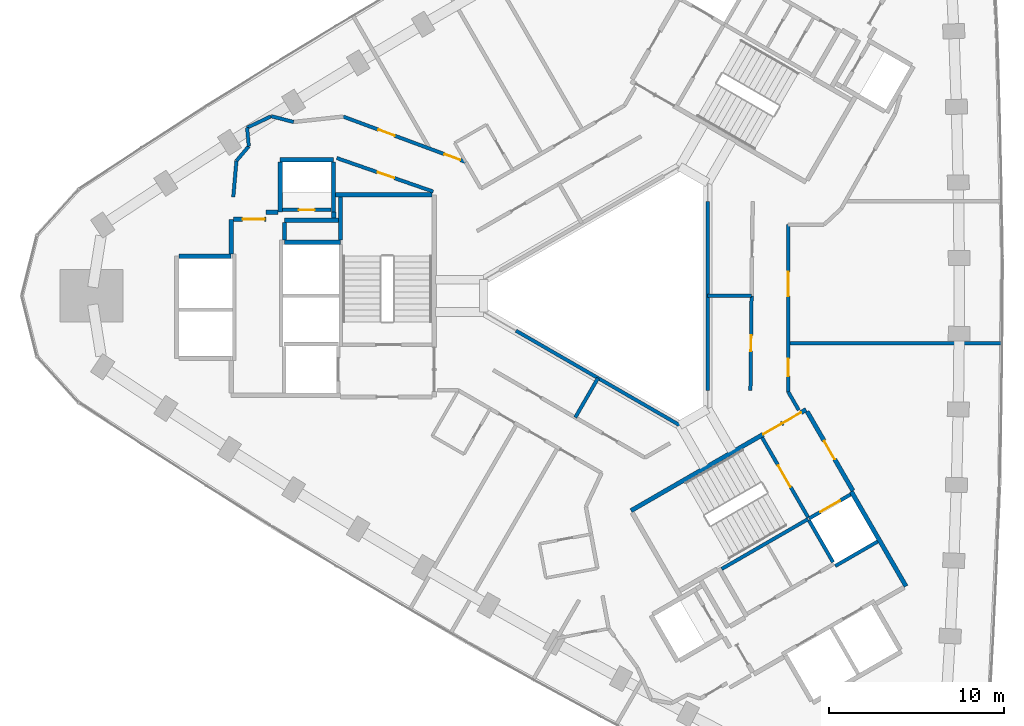
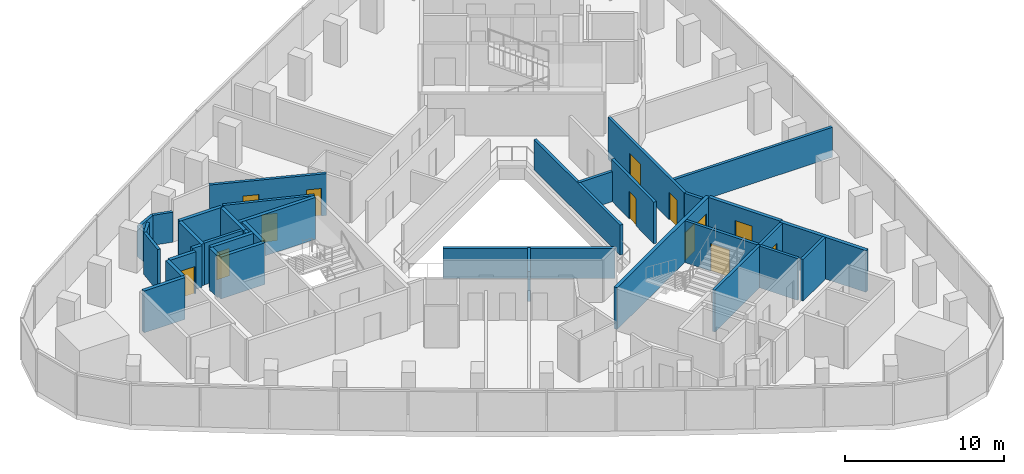
# One storey, part 9 of 12: 37 walls, 13 doors, 13 openings.
"""IFC4 building model written with IfcOpenShell, lengths in metres."""

from ifc_helpers import new_model, si_unit, direction, frame, frame_2d, origin, place, context, subcontext, project, spatial, rectangle, extrude, material, layer, layer_set, type_object, element, fill, save


model = new_model("IFC4")

# Units and contexts
model_context = context("Model", 3, precision=1e-05, world=origin(), true_north=direction((0.0, 1.0)))
body_context = subcontext(model_context, "Body", "Model", "MODEL_VIEW")
ifc_project = project(units=[si_unit("LENGTHUNIT", "METRE"), si_unit("AREAUNIT", "SQUARE_METRE"), si_unit("VOLUMEUNIT", "CUBIC_METRE"), si_unit("PLANEANGLEUNIT", "RADIAN"), si_unit("MASSUNIT", "GRAM", prefix="KILO")], contexts=[model_context])

# Site, building, storey
site_placement = place(None, origin())
site = spatial("IfcSite", under=ifc_project, at=site_placement, CompositionType="ELEMENT")
building_placement = place(site_placement, origin())
building = spatial("IfcBuilding", under=site, at=building_placement, Name="Tamra Quay Hotel Tower", CompositionType="ELEMENT")
storey_placement = place(building_placement, frame((0.0, 0.0, 143.199951171875)))
storey = spatial("IfcBuildingStorey", under=building, at=storey_placement, Name="L35", CompositionType="ELEMENT", Elevation=143.199951171875)

# Wall, opening, door
ifc_material_1 = material(Name="Concrete M70", Category="concrete")
ifc_layer_1 = layer(ifc_material_1, 0.199951171875)
ifc_layer_set_1 = layer_set([ifc_layer_1], Name="Concrete M70 core wall 200")
wall_type_1 = type_object("IfcWallType", Name="Concrete M70 core wall 200", PredefinedType="SHEAR", material=ifc_layer_set_1)
wall_1_placement = place(storey_placement, frame((-19.51123046875, 4.91015625, 0.0), z_axis=(0.0, 0.0, 1.0), x_axis=(1.0, 0.0, 0.0)))
wall_1 = element("IfcWall", 1, at=wall_1_placement, inside=storey, type_object=wall_type_1, Name="CW2", PredefinedType="SHEAR", context=body_context, shape_type="SweptSolid", body=[
    extrude(rectangle(XDim=2.7978515625, YDim=0.199951171875, at=frame_2d((1.39892578125, 0.0))), origin(), (0.0, 0.0, 1.0), 3.199951171875),
])
opening_1_placement = place(wall_1_placement, frame((0.948974609375, 0.0, 0.0)))
opening_1 = element("IfcOpeningElement", 2, at=opening_1_placement, cuts=wall_1, Name="Opening D1", PredefinedType="OPENING", context=body_context, shape_type="SweptSolid", body=[
    extrude(rectangle(XDim=0.89990234375, YDim=2.10009765625, at=frame_2d((0.449951171875, 1.050048828125))), frame((0.0, 0.10986328125, 0.0), z_axis=(0.0, -1.0, 0.0), x_axis=(1.0, 0.0, 0.0)), (0.0, 0.0, 1.0), 0.219970703125),
])
ifc_material_2 = material(Name="Core door D1 900x2100 RH")
door_type_1 = type_object("IfcDoorType", Name="Core door D1 900x2100 RH", OperationType="NOTDEFINED", PredefinedType="DOOR", material=ifc_material_2)
door_1_placement = place(opening_1_placement, origin())
door_1 = element("IfcDoor", 3, at=door_1_placement, inside=storey, type_object=door_type_1, Name="D1", OperationType="SINGLE_SWING_RIGHT", OverallHeight=2.10009765625, OverallWidth=0.89990234375, PredefinedType="DOOR", context=body_context, shape_type="SweptSolid", body=[
    extrude(rectangle(XDim=0.89990234375, YDim=2.10009765625, at=frame_2d((0.449951171875, 1.050048828125))), frame((0.0, 0.02490234375, 0.0), z_axis=(0.0, -1.0, 0.0), x_axis=(1.0, 0.0, 0.0)), (0.0, 0.0, 1.0), 0.050048828125),
])
fill(opening_1, door_1)

# Wall
wall_2_placement = place(storey_placement, frame((10.537841796875, -12.751953125, 0.0), z_axis=(0.0, 0.0, 1.0), x_axis=(-0.866038630372, -0.499977090179, 0.0)))
element("IfcWall", 4, at=wall_2_placement, inside=storey, type_object=wall_type_1, Name="CW2", PredefinedType="SHEAR", context=body_context, shape_type="SweptSolid", body=[
    extrude(rectangle(XDim=5.698974609375, YDim=0.199951171875, at=frame_2d((2.849609375, 0.0))), origin(), (0.0, 0.0, 1.0), 3.199951171875),
])

# Wall, opening, door
wall_3_placement = place(storey_placement, frame((7.906494140625, -8.094482421875, 0.0), z_axis=(0.0, 0.0, 1.0), x_axis=(0.500024287448, -0.866011380966, 0.0)))
wall_3 = element("IfcWall", 5, at=wall_3_placement, inside=storey, type_object=wall_type_1, Name="CW2", PredefinedType="SHEAR", context=body_context, shape_type="SweptSolid", body=[
    extrude(rectangle(XDim=5.251220703125, YDim=0.199951171875, at=frame_2d((2.62548828125, 0.0))), origin(), (0.0, 0.0, 1.0), 3.199951171875),
])
opening_2_placement = place(wall_3_placement, frame((1.84912109375, 0.0, 0.0)))
opening_2 = element("IfcOpeningElement", 6, at=opening_2_placement, cuts=wall_3, Name="Opening FD2", PredefinedType="OPENING", context=body_context, shape_type="SweptSolid", body=[
    extrude(rectangle(XDim=1.39990234375, YDim=2.10009765625, at=frame_2d((0.699951171875, 1.050048828125))), frame((0.0, 0.10986328125, 0.0), z_axis=(0.0, -1.0, 0.0), x_axis=(1.0, 0.0, 0.0)), (0.0, 0.0, 1.0), 0.219970703125),
])
ifc_material_3 = material(Name="Core door FD2 1400x2100 RH")
door_type_2 = type_object("IfcDoorType", Name="Core door FD2 1400x2100 RH", OperationType="NOTDEFINED", PredefinedType="DOOR", material=ifc_material_3)
door_2_placement = place(opening_2_placement, origin())
door_2 = element("IfcDoor", 7, at=door_2_placement, inside=storey, type_object=door_type_2, Name="FD2", OperationType="SINGLE_SWING_RIGHT", OverallHeight=2.10009765625, OverallWidth=1.39990234375, PredefinedType="DOOR", context=body_context, shape_type="SweptSolid", body=[
    extrude(rectangle(XDim=1.39990234375, YDim=2.10009765625, at=frame_2d((0.699951171875, 1.050048828125))), frame((0.0, 0.02490234375, 0.0), z_axis=(0.0, -1.0, 0.0), x_axis=(1.0, 0.0, 0.0)), (0.0, 0.0, 1.0), 0.050048828125),
])
fill(opening_2, door_2)

# Wall
wall_4_placement = place(storey_placement, frame((11.962646484375, -15.219970703125, 0.0), z_axis=(0.0, 0.0, 1.0), x_axis=(-0.500034990121, 0.866005201286, 0.0)))
element("IfcWall", 8, at=wall_4_placement, inside=storey, type_object=wall_type_1, Name="CW2", PredefinedType="SHEAR", context=body_context, shape_type="SweptSolid", body=[
    extrude(rectangle(XDim=2.749755859375, YDim=0.199951171875, at=frame_2d((1.375, 0.0))), origin(), (0.0, 0.0, 1.0), 3.199951171875),
])

# Wall, opening, door
wall_5_placement = place(storey_placement, frame((10.587158203125, -12.72314453125, 0.0), z_axis=(0.0, 0.0, 1.0), x_axis=(0.866037306777, 0.499979382845, 0.0)))
wall_5 = element("IfcWall", 9, at=wall_5_placement, inside=storey, type_object=wall_type_1, Name="CW2", PredefinedType="SHEAR", context=body_context, shape_type="SweptSolid", body=[
    extrude(rectangle(XDim=2.74169921875, YDim=0.199951171875, at=frame_2d((1.370849609375, 0.0))), origin(), (0.0, 0.0, 1.0), 3.199951171875),
])
opening_3_placement = place(wall_5_placement, frame((0.742919921875, 0.0, 0.0)))
opening_3 = element("IfcOpeningElement", 10, at=opening_3_placement, cuts=wall_5, Name="Opening LD", PredefinedType="OPENING", context=body_context, shape_type="SweptSolid", body=[
    extrude(rectangle(XDim=1.300048828125, YDim=2.10009765625, at=frame_2d((0.64990234375, 1.050048828125))), frame((0.0, 0.10986328125, 0.0), z_axis=(0.0, -1.0, 0.0), x_axis=(1.0, 0.0, 0.0)), (0.0, 0.0, 1.0), 0.219970703125),
])
ifc_material_4 = material(Name="Landing door LD 1300 sliding to right")
door_type_3 = type_object("IfcDoorType", Name="Landing door LD 1300 sliding to right", OperationType="NOTDEFINED", PredefinedType="DOOR", material=ifc_material_4)
door_3_placement = place(opening_3_placement, origin())
door_3 = element("IfcDoor", 11, at=door_3_placement, inside=storey, type_object=door_type_3, Name="LD", OperationType="SLIDING_TO_RIGHT", OverallHeight=2.10009765625, OverallWidth=1.300048828125, PredefinedType="DOOR", context=body_context, shape_type="SweptSolid", body=[
    extrude(rectangle(XDim=1.300048828125, YDim=2.10009765625, at=frame_2d((0.64990234375, 1.050048828125))), frame((0.0, 0.02490234375, 0.0), z_axis=(0.0, -1.0, 0.0), x_axis=(1.0, 0.0, 0.0)), (0.0, 0.0, 1.0), 0.050048828125),
])
fill(opening_3, door_3)

# Walls
wall_6_placement = place(storey_placement, frame((14.51171875, -14.037109375, 0.0), z_axis=(0.0, 0.0, 1.0), x_axis=(-0.866044696403, -0.499966582715, 0.0)))
element("IfcWall", 12, at=wall_6_placement, inside=storey, type_object=wall_type_1, Name="CW2", PredefinedType="SHEAR", context=body_context, shape_type="SweptSolid", body=[
    extrude(rectangle(XDim=2.799072265625, YDim=0.199951171875, at=frame_2d((1.3994140625, 0.0))), origin(), (0.0, 0.0, 1.0), 3.199951171875),
])
ifc_layer_2 = layer(ifc_material_1, 0.25)
ifc_layer_set_2 = layer_set([ifc_layer_2], Name="Concrete M70 core wall 250")
wall_type_2 = type_object("IfcWallType", Name="Concrete M70 core wall 250", PredefinedType="SHEAR", material=ifc_layer_set_2)
wall_7_placement = place(storey_placement, frame((-16.47216796875, 5.77490234375, 0.0), z_axis=(0.0, 0.0, 1.0), x_axis=(1.0, 0.0, 0.0)))
element("IfcWall", 13, at=wall_7_placement, inside=storey, type_object=wall_type_2, Name="CW1", PredefinedType="SHEAR", context=body_context, shape_type="SweptSolid", body=[
    extrude(rectangle(XDim=5.509521484375, YDim=0.25, at=frame_2d((2.7548828125, 0.0))), origin(), (0.0, 0.0, 1.0), 3.199951171875),
])
wall_8_placement = place(storey_placement, frame((-19.38720703125, 3.074951171875, 0.0), z_axis=(0.0, 0.0, 1.0), x_axis=(1.0, 0.0, 0.0)))
element("IfcWall", 14, at=wall_8_placement, inside=storey, type_object=wall_type_2, Name="CW1", PredefinedType="SHEAR", context=body_context, shape_type="SweptSolid", body=[
    extrude(rectangle(XDim=3.199951171875, YDim=0.25, at=frame_2d((1.60009765625, 0.0))), origin(), (0.0, 0.0, 1.0), 3.199951171875),
])
wall_9_placement = place(storey_placement, frame((-25.411865234375, 2.27490234375, 0.0), z_axis=(0.0, 0.0, 1.0), x_axis=(1.0, 0.0, 0.0)))
element("IfcWall", 15, at=wall_9_placement, inside=storey, type_object=wall_type_2, Name="CW1", PredefinedType="SHEAR", context=body_context, shape_type="SweptSolid", body=[
    extrude(rectangle(XDim=2.974609375, YDim=0.25, at=frame_2d((1.4873046875, 0.0))), origin(), (0.0, 0.0, 1.0), 3.199951171875),
])
wall_10_placement = place(storey_placement, frame((-19.63720703125, 7.77490234375, 0.0), z_axis=(0.0, 0.0, 1.0), x_axis=(1.0, 0.0, 0.0)))
element("IfcWall", 16, at=wall_10_placement, inside=storey, type_object=wall_type_2, Name="CW1", PredefinedType="SHEAR", context=body_context, shape_type="SweptSolid", body=[
    extrude(rectangle(XDim=3.0498046875, YDim=0.25, at=frame_2d((1.52490234375, 0.0))), origin(), (0.0, 0.0, 1.0), 3.199951171875),
])
for number, where, z_axis, x_axis, name in (
    (17, (-16.58740234375, 7.649658203125, 0.0), (0.0, 0.0, 1.0), (0.0, -1.0, 0.0), "CW1"),
    (18, (-19.63720703125, 4.784912109375, 0.0), (0.0, 0.0, 1.0), (0.0, 1.0, 0.0), "CW1"),
):
    element("IfcWall", number, at=place(storey_placement, frame(where, z_axis=z_axis, x_axis=x_axis)), inside=storey, type_object=wall_type_2, Name=name, PredefinedType="SHEAR", context=body_context, shape_type="SweptSolid", body=[
        extrude(rectangle(XDim=2.86474609375, YDim=0.25, at=frame_2d((1.432373046875, 0.0))), origin(), (0.0, 0.0, 1.0), 3.199951171875),
    ])
wall_11_placement = place(storey_placement, frame((-16.30224609375, 4.31494140625, 0.0), z_axis=(0.0, 0.0, 1.0), x_axis=(-1.0, 0.0, 0.0)))
element("IfcWall", 19, at=wall_11_placement, inside=storey, type_object=wall_type_2, Name="CW1", PredefinedType="SHEAR", context=body_context, shape_type="SweptSolid", body=[
    extrude(rectangle(XDim=3.0849609375, YDim=0.25, at=frame_2d((1.54248046875, 0.0))), origin(), (0.0, 0.0, 1.0), 3.199951171875),
])
wall_12_placement = place(storey_placement, frame((-16.187255859375, 3.200439453125, 0.0), z_axis=(0.0, 0.0, 1.0), x_axis=(0.0, 1.0, 0.0)))
element("IfcWall", 20, at=wall_12_placement, inside=storey, type_object=wall_type_2, Name="CW1", PredefinedType="SHEAR", context=body_context, shape_type="SweptSolid", body=[
    extrude(rectangle(XDim=2.44921875, YDim=0.25, at=frame_2d((1.224609375, 0.0))), origin(), (0.0, 0.0, 1.0), 3.199951171875),
])
wall_13_placement = place(storey_placement, frame((-22.437255859375, 2.400390625, 0.0), z_axis=(0.0, 0.0, 1.0), x_axis=(0.0, 1.0, 0.0)))
element("IfcWall", 21, at=wall_13_placement, inside=storey, type_object=wall_type_2, Name="CW1", PredefinedType="SHEAR", context=body_context, shape_type="SweptSolid", body=[
    extrude(rectangle(XDim=1.974609375, YDim=0.25, at=frame_2d((0.9873046875, 0.0))), origin(), (0.0, 0.0, 1.0), 3.199951171875),
])

# Wall, opening, door
wall_14_placement = place(storey_placement, frame((-22.311767578125, 4.375, 0.0), z_axis=(0.0, 0.0, 1.0), x_axis=(1.0, 0.0, 0.0)))
wall_14 = element("IfcWall", 22, at=wall_14_placement, inside=storey, type_object=wall_type_2, Name="CW1", PredefinedType="SHEAR", context=body_context, shape_type="SweptSolid", body=[
    extrude(rectangle(XDim=1.864501953125, YDim=0.25, at=frame_2d((0.93212890625, 0.0))), origin(), (0.0, 0.0, 1.0), 3.199951171875),
])
opening_4_placement = place(wall_14_placement, frame((0.53466796875, 0.0, 0.0)))
opening_4 = element("IfcOpeningElement", 23, at=opening_4_placement, cuts=wall_14, Name="Opening FD3", PredefinedType="OPENING", context=body_context, shape_type="SweptSolid", body=[
    extrude(rectangle(XDim=1.25, YDim=2.10009765625, at=frame_2d((0.625, 1.050048828125))), frame((0.0, 0.135009765625, 0.0), z_axis=(0.0, -1.0, 0.0), x_axis=(1.0, 0.0, 0.0)), (0.0, 0.0, 1.0), 0.27001953125),
])
ifc_material_5 = material(Name="Core door FD3 1250x2100 LH")
door_type_4 = type_object("IfcDoorType", Name="Core door FD3 1250x2100 LH", OperationType="NOTDEFINED", PredefinedType="DOOR", material=ifc_material_5)
door_4_placement = place(opening_4_placement, origin())
door_4 = element("IfcDoor", 24, at=door_4_placement, inside=storey, type_object=door_type_4, Name="FD3", OperationType="SINGLE_SWING_LEFT", OverallHeight=2.10009765625, OverallWidth=1.25, PredefinedType="DOOR", context=body_context, shape_type="SweptSolid", body=[
    extrude(rectangle(XDim=1.25, YDim=2.10009765625, at=frame_2d((0.625, 1.050048828125))), frame((0.0, 0.02490234375, 0.0), z_axis=(0.0, -1.0, 0.0), x_axis=(1.0, 0.0, 0.0)), (0.0, 0.0, 1.0), 0.050048828125),
])
fill(opening_4, door_4)

# Walls
wall_15_placement = place(storey_placement, frame((-19.38720703125, 4.189697265625, 0.0), z_axis=(0.0, 0.0, 1.0), x_axis=(0.0, -1.0, 0.0)))
element("IfcWall", 25, at=wall_15_placement, inside=storey, type_object=wall_type_2, Name="CW1", PredefinedType="SHEAR", context=body_context, shape_type="SweptSolid", body=[
    extrude(rectangle(XDim=0.9892578125, YDim=0.25, at=frame_2d((0.49462890625, 0.0))), origin(), (0.0, 0.0, 1.0), 3.199951171875),
])
wall_16_placement = place(storey_placement, frame((-20.447265625, 4.784912109375, 0.0), z_axis=(0.0, 0.0, 1.0), x_axis=(1.0, 0.0, 0.0)))
element("IfcWall", 26, at=wall_16_placement, inside=storey, type_object=wall_type_2, Name="CW1", PredefinedType="SHEAR", context=body_context, shape_type="SweptSolid", body=[
    extrude(rectangle(XDim=0.6845703125, YDim=0.25, at=frame_2d((0.34228515625, 0.0))), origin(), (0.0, 0.0, 1.0), 3.199951171875),
])
wall_17_placement = place(storey_placement, frame((-16.577392578125, 4.784912109375, 0.0), z_axis=(0.0, 0.0, 1.0), x_axis=(0.0, -1.0, 0.0)))
element("IfcWall", 27, at=wall_17_placement, inside=storey, type_object=wall_type_2, Name="CW1", PredefinedType="SHEAR", context=body_context, shape_type="SweptSolid", body=[
    extrude(rectangle(XDim=0.344482421875, YDim=0.25, at=frame_2d((0.17236328125, 0.0))), origin(), (0.0, 0.0, 1.0), 3.199951171875),
])

# Wall, openings, doors
wall_18_placement = place(storey_placement, frame((0.417236328125, -12.27294921875, 0.0), z_axis=(0.0, 0.0, 1.0), x_axis=(0.866021906294, 0.500006057782, 0.0)))
wall_18 = element("IfcWall", 28, at=wall_18_placement, inside=storey, type_object=wall_type_2, Name="CW1", PredefinedType="SHEAR", context=body_context, shape_type="SweptSolid", body=[
    extrude(rectangle(XDim=11.550048828125, YDim=0.25, at=frame_2d((5.77490234375, 0.0))), origin(), (0.0, 0.0, 1.0), 3.199951171875),
])
opening_5_placement = place(wall_18_placement, frame((10.024658203125, 0.0, 0.0)))
opening_5 = element("IfcOpeningElement", 29, at=opening_5_placement, cuts=wall_18, Name="Opening FD1", PredefinedType="OPENING", context=body_context, shape_type="SweptSolid", body=[
    extrude(rectangle(XDim=1.199951171875, YDim=2.10009765625, at=frame_2d((0.60009765625, 1.050048828125))), frame((0.0, 0.135009765625, 0.0), z_axis=(0.0, -1.0, 0.0), x_axis=(1.0, 0.0, 0.0)), (0.0, 0.0, 1.0), 0.27001953125),
])
opening_6_placement = place(wall_18_placement, frame((8.724609375, 0.0, 0.0)))
opening_6 = element("IfcOpeningElement", 30, at=opening_6_placement, cuts=wall_18, Name="Opening FD1", PredefinedType="OPENING", context=body_context, shape_type="SweptSolid", body=[
    extrude(rectangle(XDim=1.199951171875, YDim=2.10009765625, at=frame_2d((0.60009765625, 1.050048828125))), frame((0.0, 0.135009765625, 0.0), z_axis=(0.0, -1.0, 0.0), x_axis=(1.0, 0.0, 0.0)), (0.0, 0.0, 1.0), 0.27001953125),
])
ifc_material_6 = material(Name="Core door FD1 1200x2100 LH")
door_type_5 = type_object("IfcDoorType", Name="Core door FD1 1200x2100 LH", OperationType="NOTDEFINED", PredefinedType="DOOR", material=ifc_material_6)
door_5_placement = place(opening_5_placement, origin())
door_5 = element("IfcDoor", 31, at=door_5_placement, inside=storey, type_object=door_type_5, Name="FD1", OperationType="SINGLE_SWING_LEFT", OverallHeight=2.10009765625, OverallWidth=1.199951171875, PredefinedType="DOOR", context=body_context, shape_type="SweptSolid", body=[
    extrude(rectangle(XDim=1.199951171875, YDim=2.10009765625, at=frame_2d((0.60009765625, 1.050048828125))), frame((0.0, 0.02490234375, 0.0), z_axis=(0.0, -1.0, 0.0), x_axis=(1.0, 0.0, 0.0)), (0.0, 0.0, 1.0), 0.050048828125),
])
fill(opening_5, door_5)
ifc_material_7 = material(Name="Core door FD1 1200x2100 RH")
door_type_6 = type_object("IfcDoorType", Name="Core door FD1 1200x2100 RH", OperationType="NOTDEFINED", PredefinedType="DOOR", material=ifc_material_7)
door_6_placement = place(opening_6_placement, origin())
door_6 = element("IfcDoor", 32, at=door_6_placement, inside=storey, type_object=door_type_6, Name="FD1", OperationType="SINGLE_SWING_RIGHT", OverallHeight=2.10009765625, OverallWidth=1.199951171875, PredefinedType="DOOR", context=body_context, shape_type="SweptSolid", body=[
    extrude(rectangle(XDim=1.199951171875, YDim=2.10009765625, at=frame_2d((0.60009765625, 1.050048828125))), frame((0.0, 0.02490234375, 0.0), z_axis=(0.0, -1.0, 0.0), x_axis=(1.0, 0.0, 0.0)), (0.0, 0.0, 1.0), 0.050048828125),
])
fill(opening_6, door_6)

# Wall
wall_19_placement = place(storey_placement, frame((13.00830078125, -11.18115234375, 0.0), z_axis=(0.0, 0.0, 1.0), x_axis=(0.500004234368, -0.866022959057, 0.0)))
element("IfcWall", 33, at=wall_19_placement, inside=storey, type_object=wall_type_2, Name="CW1", PredefinedType="SHEAR", context=body_context, shape_type="SweptSolid", body=[
    extrude(rectangle(XDim=6.25, YDim=0.25, at=frame_2d((3.125, 0.0))), origin(), (0.0, 0.0, 1.0), 3.199951171875),
])

# Wall, opening, door
wall_20_placement = place(storey_placement, frame((10.482666015625, -6.6064453125, 0.0), z_axis=(0.0, 0.0, 1.0), x_axis=(0.49999885962, -0.866026062182, 0.0)))
wall_20 = element("IfcWall", 34, at=wall_20_placement, inside=storey, type_object=wall_type_2, Name="CW1", PredefinedType="SHEAR", context=body_context, shape_type="SweptSolid", body=[
    extrude(rectangle(XDim=5.224609375, YDim=0.25, at=frame_2d((2.6123046875, 0.0))), origin(), (0.0, 0.0, 1.0), 3.199951171875),
])
opening_7_placement = place(wall_20_placement, frame((1.94970703125, 0.0, 0.0)))
opening_7 = element("IfcOpeningElement", 35, at=opening_7_placement, cuts=wall_20, Name="Opening D2", PredefinedType="OPENING", context=body_context, shape_type="SweptSolid", body=[
    extrude(rectangle(XDim=1.199951171875, YDim=2.10009765625, at=frame_2d((0.60009765625, 1.050048828125))), frame((0.0, 0.135009765625, 0.0), z_axis=(0.0, -1.0, 0.0), x_axis=(1.0, 0.0, 0.0)), (0.0, 0.0, 1.0), 0.27001953125),
])
ifc_material_8 = material(Name="Core door D2 1200x2100 LH")
door_type_7 = type_object("IfcDoorType", Name="Core door D2 1200x2100 LH", OperationType="NOTDEFINED", PredefinedType="DOOR", material=ifc_material_8)
door_7_placement = place(opening_7_placement, origin())
door_7 = element("IfcDoor", 36, at=door_7_placement, inside=storey, type_object=door_type_7, Name="D2", OperationType="SINGLE_SWING_LEFT", OverallHeight=2.10009765625, OverallWidth=1.199951171875, PredefinedType="DOOR", context=body_context, shape_type="SweptSolid", body=[
    extrude(rectangle(XDim=1.199951171875, YDim=2.10009765625, at=frame_2d((0.60009765625, 1.050048828125))), frame((0.0, 0.02490234375, 0.0), z_axis=(0.0, -1.0, 0.0), x_axis=(1.0, 0.0, 0.0)), (0.0, 0.0, 1.0), 0.050048828125),
])
fill(opening_7, door_7)

# Walls
ifc_material_9 = material(Name="Partition corridor wall")
ifc_layer_3 = layer(ifc_material_9, 0.199951171875)
ifc_layer_set_3 = layer_set([ifc_layer_3], Name="Partition corridor wall")
wall_type_3 = type_object("IfcWallType", Name="Partition corridor wall", PredefinedType="PARTITIONING", material=ifc_layer_set_3)
wall_21_placement = place(storey_placement, frame((-22.131103515625, 7.719970703125, 0.0), z_axis=(0.0, 0.0, 1.0), x_axis=(-0.086827346826, -0.996223374471, 0.0)))
element("IfcWall", 37, at=wall_21_placement, inside=storey, type_object=wall_type_3, Name="W-C", PredefinedType="PARTITIONING", context=body_context, shape_type="SweptSolid", body=[
    extrude(rectangle(XDim=2.077880859375, YDim=0.199951171875, at=frame_2d((1.0390625, 0.0))), origin(), (0.0, 0.0, 1.0), 3.199951171875),
])
wall_22_placement = place(storey_placement, frame((-22.1298828125, 7.720947265625, 0.0), z_axis=(0.0, 0.0, 1.0), x_axis=(0.646815590698, 0.762646439466, 0.0)))
element("IfcWall", 38, at=wall_22_placement, inside=storey, type_object=wall_type_3, Name="W-C", PredefinedType="PARTITIONING", context=body_context, shape_type="SweptSolid", body=[
    extrude(rectangle(XDim=1.089599609375, YDim=0.199951171875, at=frame_2d((0.544921875, 0.0))), origin(), (0.0, 0.0, 1.0), 3.199951171875),
])
wall_23_placement = place(storey_placement, frame((-21.52099609375, 9.614013671875, 0.0), z_axis=(0.0, 0.0, 1.0), x_axis=(0.089978363699, -0.995943720331, 0.0)))
element("IfcWall", 39, at=wall_23_placement, inside=storey, type_object=wall_type_3, Name="W-C", PredefinedType="PARTITIONING", context=body_context, shape_type="SweptSolid", body=[
    extrude(rectangle(XDim=1.06640625, YDim=0.199951171875, at=frame_2d((0.533203125, 0.0))), origin(), (0.0, 0.0, 1.0), 2.300048828125),
])
wall_24_placement = place(storey_placement, frame((-21.52099609375, 9.614013671875, 0.0), z_axis=(0.0, 0.0, 1.0), x_axis=(0.904083527367, 0.427355795028, 0.0)))
element("IfcWall", 40, at=wall_24_placement, inside=storey, type_object=wall_type_3, Name="W-C", PredefinedType="PARTITIONING", context=body_context, shape_type="SweptSolid", body=[
    extrude(rectangle(XDim=1.52294921875, YDim=0.199951171875, at=frame_2d((0.761474609375, 0.0))), origin(), (0.0, 0.0, 1.0), 2.300048828125),
])
wall_25_placement = place(storey_placement, frame((-20.14306640625, 10.26611328125, 0.0), z_axis=(0.0, 0.0, 1.0), x_axis=(0.969121308325, -0.246584447505, 0.0)))
element("IfcWall", 41, at=wall_25_placement, inside=storey, type_object=wall_type_3, Name="W-C", PredefinedType="PARTITIONING", context=body_context, shape_type="SweptSolid", body=[
    extrude(rectangle(XDim=1.31884765625, YDim=0.199951171875, at=frame_2d((0.659423828125, 0.0))), origin(), (0.0, 0.0, 1.0), 2.300048828125),
])

# Wall, opening, door
wall_26_placement = place(storey_placement, frame((-16.40234375, 7.879150390625, 0.0), z_axis=(0.0, 0.0, 1.0), x_axis=(0.94449961557, -0.328512520596, 0.0)))
wall_26 = element("IfcWall", 42, at=wall_26_placement, inside=storey, type_object=wall_type_3, Name="W-C", PredefinedType="PARTITIONING", context=body_context, shape_type="SweptSolid", body=[
    extrude(rectangle(XDim=5.842041015625, YDim=0.199951171875, at=frame_2d((2.9208984375, 0.0))), origin(), (0.0, 0.0, 1.0), 3.199951171875),
])
opening_8_placement = place(wall_26_placement, frame((2.480712890625, 0.0, 0.0)))
opening_8 = element("IfcOpeningElement", 43, at=opening_8_placement, cuts=wall_26, Name="Opening L35-D008", PredefinedType="OPENING", context=body_context, shape_type="SweptSolid", body=[
    extrude(rectangle(XDim=1.0, YDim=2.10009765625, at=frame_2d((0.5, 1.050048828125))), frame((0.0, 0.10986328125, 0.0), z_axis=(0.0, -1.0, 0.0), x_axis=(1.0, 0.0, 0.0)), (0.0, 0.0, 1.0), 0.219970703125),
])
ifc_material_10 = material(Name="Door guest room 1000x2100")
door_type_8 = type_object("IfcDoorType", Name="Door guest room 1000x2100", OperationType="NOTDEFINED", PredefinedType="DOOR", material=ifc_material_10)
door_8_placement = place(opening_8_placement, frame((1.0, 0.0, 0.0), z_axis=(0.0, 0.0, 1.0), x_axis=(-1.0, 0.0, 0.0)))
door_8 = element("IfcDoor", 44, at=door_8_placement, inside=storey, type_object=door_type_8, Name="L35-D008", OperationType="SINGLE_SWING_LEFT", OverallHeight=2.10009765625, OverallWidth=1.0, PredefinedType="DOOR", context=body_context, shape_type="SweptSolid", body=[
    extrude(rectangle(XDim=1.0, YDim=2.10009765625, at=frame_2d((0.5, 1.050048828125))), frame((0.0, 0.02490234375, 0.0), z_axis=(0.0, -1.0, 0.0), x_axis=(1.0, 0.0, 0.0)), (0.0, 0.0, 1.0), 0.050048828125),
])
fill(opening_8, door_8)

# Wall, openings, doors
wall_27_placement = place(storey_placement, frame((-16.0263671875, 10.2451171875, 0.0), z_axis=(0.0, 0.0, 1.0), x_axis=(0.937607706988, -0.347694963721, 0.0)))
wall_27 = element("IfcWall", 45, at=wall_27_placement, inside=storey, type_object=wall_type_3, Name="W-C", PredefinedType="PARTITIONING", context=body_context, shape_type="SweptSolid", body=[
    extrude(rectangle(XDim=7.457763671875, YDim=0.199951171875, at=frame_2d((3.72900390625, 0.0))), origin(), (0.0, 0.0, 1.0), 3.199951171875),
])
opening_9_placement = place(wall_27_placement, frame((6.178955078125, 0.0, 0.0)))
opening_9 = element("IfcOpeningElement", 46, at=opening_9_placement, cuts=wall_27, Name="Opening L35-D006", PredefinedType="OPENING", context=body_context, shape_type="SweptSolid", body=[
    extrude(rectangle(XDim=0.949951171875, YDim=2.10009765625, at=frame_2d((0.47509765625, 1.050048828125))), frame((0.0, 0.10986328125, 0.0), z_axis=(0.0, -1.0, 0.0), x_axis=(1.0, 0.0, 0.0)), (0.0, 0.0, 1.0), 0.219970703125),
])
opening_10_placement = place(wall_27_placement, frame((2.139404296875, 0.0, 0.0)))
opening_10 = element("IfcOpeningElement", 47, at=opening_10_placement, cuts=wall_27, Name="Opening L35-D009", PredefinedType="OPENING", context=body_context, shape_type="SweptSolid", body=[
    extrude(rectangle(XDim=1.0, YDim=2.10009765625, at=frame_2d((0.5, 1.050048828125))), frame((0.0, 0.10986328125, 0.0), z_axis=(0.0, -1.0, 0.0), x_axis=(1.0, 0.0, 0.0)), (0.0, 0.0, 1.0), 0.219970703125),
])
door_9_placement = place(opening_10_placement, frame((1.0, 0.0, 0.0), z_axis=(0.0, 0.0, 1.0), x_axis=(-1.0, 0.0, 0.0)))
door_9 = element("IfcDoor", 48, at=door_9_placement, inside=storey, type_object=door_type_8, Name="L35-D009", OperationType="SINGLE_SWING_LEFT", OverallHeight=2.10009765625, OverallWidth=1.0, PredefinedType="DOOR", context=body_context, shape_type="SweptSolid", body=[
    extrude(rectangle(XDim=1.0, YDim=2.10009765625, at=frame_2d((0.5, 1.050048828125))), frame((0.0, 0.02490234375, 0.0), z_axis=(0.0, -1.0, 0.0), x_axis=(1.0, 0.0, 0.0)), (0.0, 0.0, 1.0), 0.050048828125),
])
fill(opening_10, door_9)
ifc_material_11 = material(Name="Door guest room 950x2100")
door_type_9 = type_object("IfcDoorType", Name="Door guest room 950x2100", OperationType="NOTDEFINED", PredefinedType="DOOR", material=ifc_material_11)
door_10_placement = place(opening_9_placement, origin())
door_10 = element("IfcDoor", 49, at=door_10_placement, inside=storey, type_object=door_type_9, Name="L35-D006", OperationType="SINGLE_SWING_LEFT", OverallHeight=2.10009765625, OverallWidth=0.949951171875, PredefinedType="DOOR", context=body_context, shape_type="SweptSolid", body=[
    extrude(rectangle(XDim=0.949951171875, YDim=2.10009765625, at=frame_2d((0.47509765625, 1.050048828125))), frame((0.0, 0.02490234375, 0.0), z_axis=(0.0, -1.0, 0.0), x_axis=(1.0, 0.0, 0.0)), (0.0, 0.0, 1.0), 0.050048828125),
])
fill(opening_9, door_10)

# Wall, opening, door
wall_28_placement = place(storey_placement, frame((7.241943359375, -5.4169921875, 0.0), z_axis=(0.0, 0.0, 1.0), x_axis=(0.01179195138, 0.999930472524, 0.0)))
wall_28 = element("IfcWall", 50, at=wall_28_placement, inside=storey, type_object=wall_type_3, Name="W-C", PredefinedType="PARTITIONING", context=body_context, shape_type="SweptSolid", body=[
    extrude(rectangle(XDim=5.424560546875, YDim=0.199951171875, at=frame_2d((2.71240234375, 0.0))), origin(), (0.0, 0.0, 1.0), 3.199951171875),
])
opening_11_placement = place(wall_28_placement, frame((2.26220703125, 0.0, 0.0)))
opening_11 = element("IfcOpeningElement", 51, at=opening_11_placement, cuts=wall_28, Name="Opening L35-D018", PredefinedType="OPENING", context=body_context, shape_type="SweptSolid", body=[
    extrude(rectangle(XDim=0.89990234375, YDim=2.10009765625, at=frame_2d((0.449951171875, 1.050048828125))), frame((0.0, 0.10986328125, 0.0), z_axis=(0.0, -1.0, 0.0), x_axis=(1.0, 0.0, 0.0)), (0.0, 0.0, 1.0), 0.219970703125),
])
ifc_material_12 = material(Name="Door service room 900x2100")
door_type_10 = type_object("IfcDoorType", Name="Door service room 900x2100", OperationType="NOTDEFINED", PredefinedType="DOOR", material=ifc_material_12)
door_11_placement = place(opening_11_placement, origin())
door_11 = element("IfcDoor", 52, at=door_11_placement, inside=storey, type_object=door_type_10, Name="L35-D018", OperationType="SINGLE_SWING_LEFT", OverallHeight=2.10009765625, OverallWidth=0.89990234375, PredefinedType="DOOR", context=body_context, shape_type="SweptSolid", body=[
    extrude(rectangle(XDim=0.89990234375, YDim=2.10009765625, at=frame_2d((0.449951171875, 1.050048828125))), frame((0.0, 0.02490234375, 0.0), z_axis=(0.0, -1.0, 0.0), x_axis=(1.0, 0.0, 0.0)), (0.0, 0.0, 1.0), 0.050048828125),
])
fill(opening_11, door_11)

# Wall, openings, doors
wall_29_placement = place(storey_placement, frame((9.39990234375, -5.48193359375, 0.0), z_axis=(0.0, 0.0, 1.0), x_axis=(0.0, 1.0, 0.0)))
wall_29 = element("IfcWall", 53, at=wall_29_placement, inside=storey, type_object=wall_type_3, Name="W-C", PredefinedType="PARTITIONING", context=body_context, shape_type="SweptSolid", body=[
    extrude(rectangle(XDim=9.559814453125, YDim=0.199951171875, at=frame_2d((4.77978515625, 0.0))), origin(), (0.0, 0.0, 1.0), 3.199951171875),
])
opening_12_placement = place(wall_29_placement, frame((0.89453125, 0.0, 0.0)))
opening_12 = element("IfcOpeningElement", 54, at=opening_12_placement, cuts=wall_29, Name="Opening L35-D001", PredefinedType="OPENING", context=body_context, shape_type="SweptSolid", body=[
    extrude(rectangle(XDim=1.0, YDim=2.10009765625, at=frame_2d((0.5, 1.050048828125))), frame((0.0, 0.10986328125, 0.0), z_axis=(0.0, -1.0, 0.0), x_axis=(1.0, 0.0, 0.0)), (0.0, 0.0, 1.0), 0.219970703125),
])
opening_13_placement = place(wall_29_placement, frame((5.46240234375, 0.0, 0.0)))
opening_13 = element("IfcOpeningElement", 55, at=opening_13_placement, cuts=wall_29, Name="Opening L35-D002", PredefinedType="OPENING", context=body_context, shape_type="SweptSolid", body=[
    extrude(rectangle(XDim=1.39990234375, YDim=2.10009765625, at=frame_2d((0.699951171875, 1.050048828125))), frame((0.0, 0.10986328125, 0.0), z_axis=(0.0, -1.0, 0.0), x_axis=(1.0, 0.0, 0.0)), (0.0, 0.0, 1.0), 0.219970703125),
])
ifc_material_13 = material(Name="Door double leaf 1400x2100")
door_type_11 = type_object("IfcDoorType", Name="Door double leaf 1400x2100", OperationType="DOUBLE_DOOR_SINGLE_SWING", PredefinedType="DOOR", material=ifc_material_13)
door_12_placement = place(opening_13_placement, frame((1.39990234375, 0.0, 0.0), z_axis=(0.0, 0.0, 1.0), x_axis=(-1.0, 0.0, 0.0)))
door_12 = element("IfcDoor", 56, at=door_12_placement, inside=storey, type_object=door_type_11, Name="L35-D002", OperationType="DOUBLE_DOOR_SINGLE_SWING", OverallHeight=2.10009765625, OverallWidth=1.39990234375, PredefinedType="DOOR", context=body_context, shape_type="SweptSolid", body=[
    extrude(rectangle(XDim=1.39990234375, YDim=2.10009765625, at=frame_2d((0.699951171875, 1.050048828125))), frame((0.0, 0.02490234375, 0.0), z_axis=(0.0, -1.0, 0.0), x_axis=(1.0, 0.0, 0.0)), (0.0, 0.0, 1.0), 0.050048828125),
])
fill(opening_13, door_12)
door_13_placement = place(opening_12_placement, frame((1.0, 0.0, 0.0), z_axis=(0.0, 0.0, 1.0), x_axis=(-1.0, 0.0, 0.0)))
door_13 = element("IfcDoor", 57, at=door_13_placement, inside=storey, type_object=door_type_8, Name="L35-D001", OperationType="SINGLE_SWING_LEFT", OverallHeight=2.10009765625, OverallWidth=1.0, PredefinedType="DOOR", context=body_context, shape_type="SweptSolid", body=[
    extrude(rectangle(XDim=1.0, YDim=2.10009765625, at=frame_2d((0.5, 1.050048828125))), frame((0.0, 0.02490234375, 0.0), z_axis=(0.0, -1.0, 0.0), x_axis=(1.0, 0.0, 0.0)), (0.0, 0.0, 1.0), 0.050048828125),
])
fill(opening_12, door_13)

# Walls
wall_30_placement = place(storey_placement, frame((9.39990234375, -5.48193359375, 0.0), z_axis=(0.0, 0.0, 1.0), x_axis=(0.499909562097, -0.866077611837, 0.0)))
element("IfcWall", 58, at=wall_30_placement, inside=storey, type_object=wall_type_3, Name="W-C", PredefinedType="PARTITIONING", context=body_context, shape_type="SweptSolid", body=[
    extrude(rectangle(XDim=1.204833984375, YDim=0.199951171875, at=frame_2d((0.6025390625, 0.0))), origin(), (0.0, 0.0, 1.0), 3.199951171875),
])
ifc_material_14 = material(Name="Partition party wall")
ifc_layer_4 = layer(ifc_material_14, 0.199951171875)
ifc_layer_set_4 = layer_set([ifc_layer_4], Name="Partition party wall")
wall_type_4 = type_object("IfcWallType", Name="Partition party wall", PredefinedType="PARTITIONING", material=ifc_layer_set_4)
wall_31_placement = place(storey_placement, frame((-6.155029296875, -1.989013671875, 0.0), z_axis=(0.0, 0.0, 1.0), x_axis=(0.866009062299, -0.500028303215, 0.0)))
element("IfcWall", 59, at=wall_31_placement, inside=storey, type_object=wall_type_4, Name="W-P", PredefinedType="PARTITIONING", context=body_context, shape_type="SweptSolid", body=[
    extrude(rectangle(XDim=10.802001953125, YDim=0.199951171875, at=frame_2d((5.40087890625, 0.0))), origin(), (0.0, 0.0, 1.0), 2.300048828125),
])
wall_32_placement = place(storey_placement, frame((-2.76806640625, -6.946044921875, 0.0), z_axis=(0.0, 0.0, 1.0), x_axis=(0.500017832597, 0.866015107885, 0.0)))
element("IfcWall", 60, at=wall_32_placement, inside=storey, type_object=wall_type_4, Name="W-P", PredefinedType="PARTITIONING", context=body_context, shape_type="SweptSolid", body=[
    extrude(rectangle(XDim=2.599609375, YDim=0.199951171875, at=frame_2d((1.2998046875, 0.0))), origin(), (0.0, 0.0, 1.0), 2.300048828125),
])
wall_33_placement = place(storey_placement, frame((4.800048828125, -5.4169921875, 0.0), z_axis=(0.0, 0.0, 1.0), x_axis=(0.0, 1.0, 0.0)))
element("IfcWall", 61, at=wall_33_placement, inside=storey, type_object=wall_type_4, Name="W-P", PredefinedType="PARTITIONING", context=body_context, shape_type="SweptSolid", body=[
    extrude(rectangle(XDim=10.823974609375, YDim=0.199951171875, at=frame_2d((5.412109375, 0.0))), origin(), (0.0, 0.0, 1.0), 2.300048828125),
])
wall_34_placement = place(storey_placement, frame((4.800048828125, -0.0048828125, 0.0), z_axis=(0.0, 0.0, 1.0), x_axis=(1.0, 0.0, 0.0)))
element("IfcWall", 62, at=wall_34_placement, inside=storey, type_object=wall_type_4, Name="W-P", PredefinedType="PARTITIONING", context=body_context, shape_type="SweptSolid", body=[
    extrude(rectangle(XDim=2.5048828125, YDim=0.199951171875, at=frame_2d((1.25244140625, 0.0))), origin(), (0.0, 0.0, 1.0), 2.300048828125),
])
wall_35_placement = place(storey_placement, frame((9.40087890625, -2.705078125, 0.0), z_axis=(0.0, 0.0, 1.0), x_axis=(1.0, 0.0, 0.0)))
element("IfcWall", 63, at=wall_35_placement, inside=storey, type_object=wall_type_4, Name="W-P", PredefinedType="PARTITIONING", context=body_context, shape_type="SweptSolid", body=[
    extrude(rectangle(XDim=12.21923828125, YDim=0.199951171875, at=frame_2d((6.109619140625, 0.0))), origin(), (0.0, 0.0, 1.0), 2.300048828125),
])

save(model, "model.ifc")
